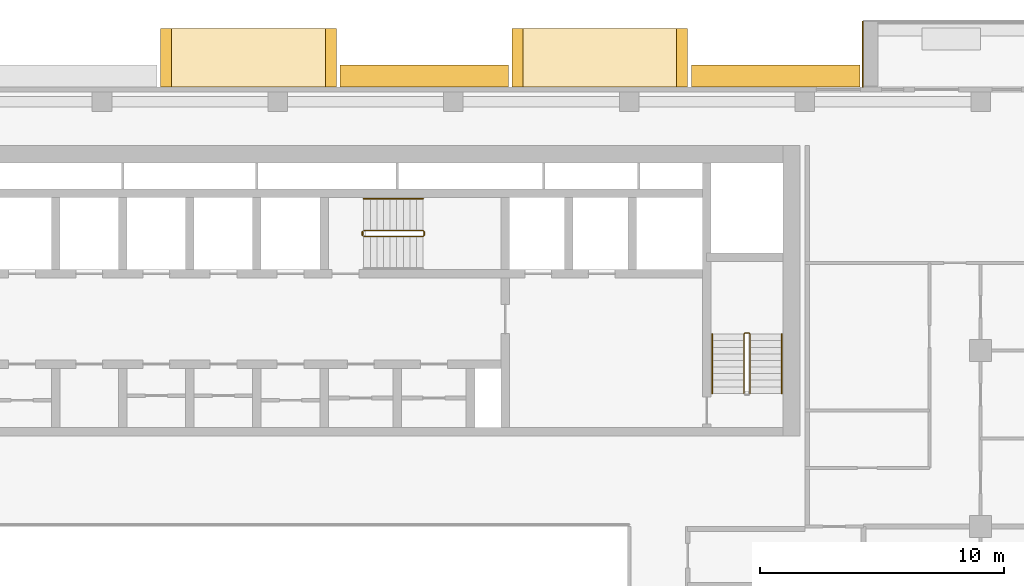
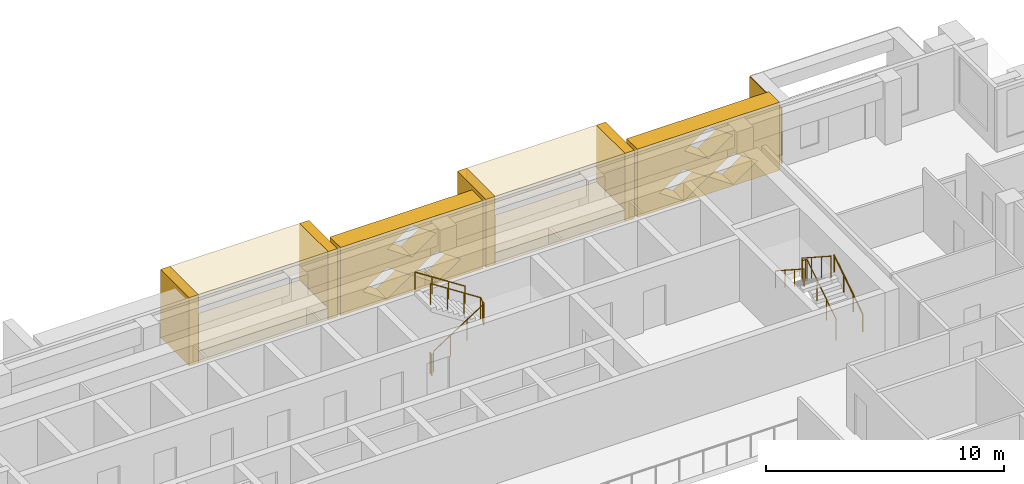
# One storey, part 19 of 20: 11 coverings, 6 railings.
"""IFC4 building model written with IfcOpenShell, lengths in metres."""

from ifc_helpers import new_model, si_unit, direction, frame, origin, origin_2d, place, context, subcontext, project, spatial, polyline, circle, outline, extrude, material, layer, layer_set, type_object, element, save


model = new_model("IFC4")

# Units and contexts
model_context = context("Model", 3, precision=1e-05, world=origin(), true_north=direction((0.0, 1.0)))
body_context = subcontext(model_context, "Body", "Model", "MODEL_VIEW")
ifc_project = project(units=[si_unit("LENGTHUNIT", "METRE"), si_unit("AREAUNIT", "SQUARE_METRE"), si_unit("VOLUMEUNIT", "CUBIC_METRE"), si_unit("PLANEANGLEUNIT", "RADIAN"), si_unit("MASSUNIT", "GRAM", prefix="KILO")], contexts=[model_context])

# Site, building, storey
site_placement = place(None, origin())
site = spatial("IfcSite", under=ifc_project, at=site_placement, CompositionType="ELEMENT")
building_placement = place(site_placement, origin())
building = spatial("IfcBuilding", under=site, at=building_placement, Name="Saffron Iwan Residences", CompositionType="ELEMENT")
storey_placement = place(building_placement, frame((0.0, 0.0, 192.0)))
storey = spatial("IfcBuildingStorey", under=building, at=storey_placement, Name="L51", CompositionType="ELEMENT", Elevation=192.0)

# Coverings
ifc_material_1 = material(Name="Precast concrete C40/50 white painted", Category="concrete")
ifc_layer = layer(ifc_material_1, 0.050048828125)
ifc_layer_set = layer_set([ifc_layer], Name="Precast concrete C40/50 white painted")
covering_type_1 = type_object("IfcCoveringType", Name="FRAME SKIN PRECAST WHITE 50", PredefinedType="CLADDING", material=ifc_layer_set)
covering_placement = place(storey_placement, origin())
element("IfcCovering", 1, at=covering_placement, inside=storey, type_object=covering_type_1, Name="Frame skin fin L51 F5-0b", PredefinedType="CLADDING", context=body_context, shape_type="SweptSolid", body=[
    extrude(outline(polyline([(74.39990234375, 83.10009765625), (74.35009765625, 83.10009765625), (74.35009765625, 80.39990234375), (74.39990234375, 80.39990234375), (74.39990234375, 83.10009765625)])), origin(), (0.0, 0.0, 1.0), 2.85009765625),
])
ifc_material_2 = material(Name="Precast concrete C40/50", Category="concrete")
covering_type_2 = type_object("IfcCoveringType", Name="OUTER SKIN LATTICE SCREEN", PredefinedType="CLADDING", material=ifc_material_2)
for number, where, z_axis, x_axis, name in (
    (2, (74.25, 80.39990234375, -0.300048828125), (0.0, 1.0, 0.0), (-1.0, 0.0, 0.0), "OUTER SKIN lattice screen L51 F5.1"),
    (3, (59.85009765625, 80.39990234375, -0.300048828125), (0.0, 1.0, 0.0), (-1.0, 0.0, 0.0), "OUTER SKIN lattice screen L51 F5.2"),
):
    element("IfcCovering", number, at=place(storey_placement, frame(where, z_axis=z_axis, x_axis=x_axis)), inside=storey, type_object=covering_type_2, Name=name, PredefinedType="CLADDING", context=body_context, shape_type="SweptSolid", body=[
        extrude(outline(polyline([(0.0, 0.0), (6.89990234375, 0.0), (6.89990234375, 3.5), (0.0, 3.5), (0.0, 0.0)]), holes=[polyline([(1.070068359375, 0.875), (2.25, 0.06005859375), (3.429931640625, 0.875), (2.25, 1.68994140625), (1.070068359375, 0.875)]), polyline([(3.469970703125, 0.875), (4.64990234375, 0.06005859375), (5.830078125, 0.875), (4.64990234375, 1.68994140625), (3.469970703125, 0.875)]), polyline([(2.27001953125, 2.625), (3.449951171875, 1.81005859375), (4.6298828125, 2.625), (3.449951171875, 3.43994140625), (2.27001953125, 2.625)])]), origin(), (0.0, 0.0, 1.0), 0.900146484375),
    ])

# Railings
ifc_material_3 = material(Name="Steel S355", Category="steel")
railing_type_1 = type_object("IfcRailingType", Name="Stair guard 1100", PredefinedType="GUARDRAIL", material=ifc_material_3)
railing_1_placement = place(storey_placement, frame((53.925048828125, 74.27490234375, 0.175048828125)))
element("IfcRailing", 4, at=railing_1_placement, inside=storey, type_object=railing_type_1, Name="L51 ST-C stair guard 1", PredefinedType="GUARDRAIL", context=body_context, shape_type="SweptSolid", body=[
    extrude(circle(Radius=0.02392578125, at=origin_2d()), frame((0.0, 0.0, 1.076171875), z_axis=(0.839153699163, 0.0, 0.543894354798), x_axis=(0.0, 1.0, 0.0)), (0.0, 0.0, 1.0), 2.895751953125),
    extrude(circle(Radius=0.02392578125, at=origin_2d()), frame((2.429931640625, 0.0, 2.65087890625), z_axis=(0.707106781187, 0.707106781187, 0.0), x_axis=(-0.707106781187, 0.707106781187, 0.0)), (0.0, 0.0, 1.0), 0.07080078125),
    extrude(circle(Radius=0.02392578125, at=origin_2d()), frame((2.47998046875, 0.050048828125, 2.65087890625), z_axis=(0.0, 1.0, 0.0), x_axis=(-1.0, 0.0, 0.0)), (0.0, 0.0, 1.0), 0.150146484375),
    extrude(circle(Radius=0.02392578125, at=origin_2d()), frame((2.47998046875, 0.2001953125, 2.65087890625), z_axis=(-0.265155923931, 0.263862480399, 0.927399011991), x_axis=(-0.705375805398, -0.708833529934, 0.0)), (0.0, 0.0, 1.0), 0.188720703125),
    extrude(circle(Radius=0.02392578125, at=origin_2d()), frame((2.429931640625, 0.25, 2.826171875), z_axis=(-0.839153699163, 0.0, 0.543894354798), x_axis=(0.0, -1.0, 0.0)), (0.0, 0.0, 1.0), 2.895751953125),
    extrude(circle(Radius=0.02099609375, at=origin_2d()), origin(), (0.0, 0.0, 1.0), 1.052001953125),
    extrude(circle(Radius=0.02099609375, at=origin_2d()), frame((0.81005859375, 0.0, 0.52490234375)), (0.0, 0.0, 1.0), 1.052001953125),
    extrude(circle(Radius=0.02099609375, at=origin_2d()), frame((1.619873046875, 0.0, 1.050048828125)), (0.0, 0.0, 1.0), 1.052001953125),
    extrude(circle(Radius=0.02099609375, at=origin_2d()), frame((2.429931640625, 0.0, 1.574951171875)), (0.0, 0.0, 1.0), 1.052001953125),
    extrude(circle(Radius=0.02099609375, at=origin_2d()), frame((2.47998046875, 0.050048828125, 1.574951171875)), (0.0, 0.0, 1.0), 1.052001953125),
    extrude(circle(Radius=0.02099609375, at=origin_2d()), frame((2.47998046875, 0.2001953125, 1.574951171875)), (0.0, 0.0, 1.0), 1.052001953125),
    extrude(circle(Radius=0.02099609375, at=origin_2d()), frame((2.429931640625, 0.25, 1.75)), (0.0, 0.0, 1.0), 1.052001953125),
    extrude(circle(Radius=0.02099609375, at=origin_2d()), frame((1.619873046875, 0.25, 2.27490234375)), (0.0, 0.0, 1.0), 1.052001953125),
    extrude(circle(Radius=0.02099609375, at=origin_2d()), frame((0.81005859375, 0.25, 2.800048828125)), (0.0, 0.0, 1.0), 1.052001953125),
    extrude(circle(Radius=0.02099609375, at=origin_2d()), frame((0.0, 0.25, 3.324951171875)), (0.0, 0.0, 1.0), 1.052001953125),
])
railing_2_placement = place(storey_placement, frame((53.875, 74.324951171875, 0.0)))
element("IfcRailing", 5, at=railing_2_placement, inside=storey, type_object=railing_type_1, Name="L51 ST-C stair guard 2", PredefinedType="GUARDRAIL", context=body_context, shape_type="SweptSolid", body=[
    extrude(circle(Radius=0.02392578125, at=origin_2d()), frame((0.0, 0.0, 1.076171875), z_axis=(0.0, 1.0, 0.0), x_axis=(-1.0, 0.0, 0.0)), (0.0, 0.0, 1.0), 0.150146484375),
    extrude(circle(Radius=0.02099609375, at=origin_2d()), origin(), (0.0, 0.0, 1.0), 1.052001953125),
    extrude(circle(Radius=0.02099609375, at=origin_2d()), frame((0.0, 0.150146484375, 0.0)), (0.0, 0.0, 1.0), 1.052001953125),
])
railing_3_placement = place(storey_placement, frame((69.75, 67.85009765625, 0.175048828125)))
element("IfcRailing", 6, at=railing_3_placement, inside=storey, type_object=railing_type_1, Name="L51 ST-E stair guard 1", PredefinedType="GUARDRAIL", context=body_context, shape_type="SweptSolid", body=[
    extrude(circle(Radius=0.02392578125, at=origin_2d()), frame((0.0, 0.0, 1.076171875), z_axis=(0.0, 0.839153699163, 0.543894354798), x_axis=(-1.0, 0.0, 0.0)), (0.0, 0.0, 1.0), 2.895751953125),
    extrude(circle(Radius=0.02392578125, at=origin_2d()), frame((0.0, 2.429931640625, 2.65087890625), z_axis=(-0.707106781187, 0.707106781187, 0.0), x_axis=(-0.707106781187, -0.707106781187, 0.0)), (0.0, 0.0, 1.0), 0.07080078125),
    extrude(circle(Radius=0.02392578125, at=origin_2d()), frame((-0.050048828125, 2.47998046875, 2.65087890625), z_axis=(-1.0, 0.0, 0.0), x_axis=(0.0, -1.0, 0.0)), (0.0, 0.0, 1.0), 0.14990234375),
    extrude(circle(Radius=0.02392578125, at=origin_2d()), frame((-0.199951171875, 2.47998046875, 2.65087890625), z_axis=(-0.265065253269, -0.265065253269, 0.927081885822), x_axis=(0.707106781187, -0.707106781187, 0.0)), (0.0, 0.0, 1.0), 0.188720703125),
    extrude(circle(Radius=0.02392578125, at=origin_2d()), frame((-0.25, 2.429931640625, 2.826171875), z_axis=(0.0, -0.839153699163, 0.543894354798), x_axis=(1.0, 0.0, 0.0)), (0.0, 0.0, 1.0), 2.895751953125),
    extrude(circle(Radius=0.02099609375, at=origin_2d()), origin(), (0.0, 0.0, 1.0), 1.052001953125),
    extrude(circle(Radius=0.02099609375, at=origin_2d()), frame((0.0, 0.81005859375, 0.52490234375)), (0.0, 0.0, 1.0), 1.052001953125),
    extrude(circle(Radius=0.02099609375, at=origin_2d()), frame((0.0, 1.619873046875, 1.050048828125)), (0.0, 0.0, 1.0), 1.052001953125),
    extrude(circle(Radius=0.02099609375, at=origin_2d()), frame((0.0, 2.429931640625, 1.574951171875)), (0.0, 0.0, 1.0), 1.052001953125),
    extrude(circle(Radius=0.02099609375, at=origin_2d()), frame((-0.050048828125, 2.47998046875, 1.574951171875)), (0.0, 0.0, 1.0), 1.052001953125),
    extrude(circle(Radius=0.02099609375, at=origin_2d()), frame((-0.199951171875, 2.47998046875, 1.574951171875)), (0.0, 0.0, 1.0), 1.052001953125),
    extrude(circle(Radius=0.02099609375, at=origin_2d()), frame((-0.25, 2.429931640625, 1.75)), (0.0, 0.0, 1.0), 1.052001953125),
    extrude(circle(Radius=0.02099609375, at=origin_2d()), frame((-0.25, 1.619873046875, 2.27490234375)), (0.0, 0.0, 1.0), 1.052001953125),
    extrude(circle(Radius=0.02099609375, at=origin_2d()), frame((-0.25, 0.81005859375, 2.800048828125)), (0.0, 0.0, 1.0), 1.052001953125),
    extrude(circle(Radius=0.02099609375, at=origin_2d()), frame((-0.25, 0.0, 3.324951171875)), (0.0, 0.0, 1.0), 1.052001953125),
])
ifc_material_4 = material(Name="Stainless steel 316", Category="steel")
railing_type_2 = type_object("IfcRailingType", Name="Stair handrail 900", PredefinedType="HANDRAIL", material=ifc_material_4)
railing_4_placement = place(storey_placement, frame((56.35498046875, 75.824951171875, 1.925048828125)))
element("IfcRailing", 7, at=railing_4_placement, inside=storey, type_object=railing_type_2, Name="L51 ST-C stair handrail 2", PredefinedType="HANDRAIL", context=body_context, shape_type="SweptSolid", body=[
    extrude(circle(Radius=0.02392578125, at=origin_2d()), frame((0.0, 0.0, 0.8759765625), z_axis=(-0.839153699163, 0.0, 0.543894354798), x_axis=(0.0, -1.0, 0.0)), (0.0, 0.0, 1.0), 2.895751953125),
    extrude(circle(Radius=0.02099609375, at=origin_2d()), origin(), (0.0, 0.0, 1.0), 0.851806640625),
    extrude(circle(Radius=0.02099609375, at=origin_2d()), frame((-0.81005859375, 0.0, 0.52490234375)), (0.0, 0.0, 1.0), 0.851806640625),
    extrude(circle(Radius=0.02099609375, at=origin_2d()), frame((-1.619873046875, 0.0, 1.050048828125)), (0.0, 0.0, 1.0), 0.851806640625),
    extrude(circle(Radius=0.02099609375, at=origin_2d()), frame((-2.429931640625, 0.0, 1.574951171875)), (0.0, 0.0, 1.0), 0.851806640625),
])
railing_5_placement = place(storey_placement, frame((71.050048828125, 67.85009765625, 0.175048828125)))
element("IfcRailing", 8, at=railing_5_placement, inside=storey, type_object=railing_type_2, Name="L51 ST-E stair handrail 1", PredefinedType="HANDRAIL", context=body_context, shape_type="SweptSolid", body=[
    extrude(circle(Radius=0.02392578125, at=origin_2d()), frame((0.0, 0.0, 0.8759765625), z_axis=(0.0, 0.839153699163, 0.543894354798), x_axis=(-1.0, 0.0, 0.0)), (0.0, 0.0, 1.0), 2.895751953125),
    extrude(circle(Radius=0.02099609375, at=origin_2d()), origin(), (0.0, 0.0, 1.0), 0.851806640625),
    extrude(circle(Radius=0.02099609375, at=origin_2d()), frame((0.0, 0.81005859375, 0.52490234375)), (0.0, 0.0, 1.0), 0.851806640625),
    extrude(circle(Radius=0.02099609375, at=origin_2d()), frame((0.0, 1.619873046875, 1.050048828125)), (0.0, 0.0, 1.0), 0.851806640625),
    extrude(circle(Radius=0.02099609375, at=origin_2d()), frame((0.0, 2.429931640625, 1.574951171875)), (0.0, 0.0, 1.0), 0.851806640625),
])
railing_6_placement = place(storey_placement, frame((68.199951171875, 70.280029296875, 1.925048828125)))
element("IfcRailing", 9, at=railing_6_placement, inside=storey, type_object=railing_type_2, Name="L51 ST-E stair handrail 2", PredefinedType="HANDRAIL", context=body_context, shape_type="SweptSolid", body=[
    extrude(circle(Radius=0.02392578125, at=origin_2d()), frame((0.0, 0.0, 0.8759765625), z_axis=(0.0, -0.839153699163, 0.543894354798), x_axis=(1.0, 0.0, 0.0)), (0.0, 0.0, 1.0), 2.895751953125),
    extrude(circle(Radius=0.02099609375, at=origin_2d()), origin(), (0.0, 0.0, 1.0), 0.851806640625),
    extrude(circle(Radius=0.02099609375, at=origin_2d()), frame((0.0, -0.81005859375, 0.52490234375)), (0.0, 0.0, 1.0), 0.851806640625),
    extrude(circle(Radius=0.02099609375, at=origin_2d()), frame((0.0, -1.619873046875, 1.050048828125)), (0.0, 0.0, 1.0), 0.851806640625),
    extrude(circle(Radius=0.02099609375, at=origin_2d()), frame((0.0, -2.429931640625, 1.574951171875)), (0.0, 0.0, 1.0), 0.851806640625),
])

# Coverings
covering_type_3 = type_object("IfcCoveringType", Name="WHITE SUN FRAME PRECAST", PredefinedType="CLADDING", material=ifc_material_1)
for number, where, z_axis, x_axis, name in (
    (10, (67.199951171875, 80.39990234375, -0.300048828125), (0.0, 1.0, 0.0), (-1.0, 0.0, 0.0), "Sun frame L51 F5 15.6a"),
    (11, (60.449951171875, 80.39990234375, -0.300048828125), (0.0, 1.0, 0.0), (-1.0, 0.0, 0.0), "Sun frame L51 F5 15.6b"),
):
    element("IfcCovering", number, at=place(storey_placement, frame(where, z_axis=z_axis, x_axis=x_axis)), inside=storey, type_object=covering_type_3, Name=name, PredefinedType="CLADDING", context=body_context, shape_type="SweptSolid", body=[
        extrude(outline(polyline([(0.0, 0.0), (0.449951171875, 0.0), (0.449951171875, 3.5), (0.0, 3.5), (0.0, 0.0)])), origin(), (0.0, 0.0, 1.0), 2.400146484375),
    ])
for number, where, z_axis, x_axis, name in (
    (12, (66.75, 80.39990234375, 2.60009765625), (0.0, 1.0, 0.0), (-1.0, 0.0, 0.0), "Sun frame L51 F5 15.6h"),
    (13, (66.75, 80.39990234375, -0.300048828125), (0.0, 1.0, 0.0), (-1.0, 0.0, 0.0), "Sun frame L51 F5 15.6s"),
):
    element("IfcCovering", number, at=place(storey_placement, frame(where, z_axis=z_axis, x_axis=x_axis)), inside=storey, type_object=covering_type_3, Name=name, PredefinedType="CLADDING", context=body_context, shape_type="SweptSolid", body=[
        extrude(outline(polyline([(0.0, 0.0), (6.300048828125, 0.0), (6.300048828125, 0.60009765625), (0.0, 0.60009765625), (0.0, 0.0)])), origin(), (0.0, 0.0, 1.0), 2.400146484375),
    ])
for number, where, z_axis, x_axis, name in (
    (14, (52.800048828125, 80.39990234375, -0.300048828125), (0.0, 1.0, 0.0), (-1.0, 0.0, 0.0), "Sun frame L51 F5 30.0a"),
    (15, (46.050048828125, 80.39990234375, -0.300048828125), (0.0, 1.0, 0.0), (-1.0, 0.0, 0.0), "Sun frame L51 F5 30.0b"),
):
    element("IfcCovering", number, at=place(storey_placement, frame(where, z_axis=z_axis, x_axis=x_axis)), inside=storey, type_object=covering_type_3, Name=name, PredefinedType="CLADDING", context=body_context, shape_type="SweptSolid", body=[
        extrude(outline(polyline([(0.0, 0.0), (0.449951171875, 0.0), (0.449951171875, 3.5), (0.0, 3.5), (0.0, 0.0)])), origin(), (0.0, 0.0, 1.0), 2.400146484375),
    ])
for number, where, z_axis, x_axis, name in (
    (16, (52.35009765625, 80.39990234375, 2.60009765625), (0.0, 1.0, 0.0), (-1.0, 0.0, 0.0), "Sun frame L51 F5 30.0h"),
    (17, (52.35009765625, 80.39990234375, -0.300048828125), (0.0, 1.0, 0.0), (-1.0, 0.0, 0.0), "Sun frame L51 F5 30.0s"),
):
    element("IfcCovering", number, at=place(storey_placement, frame(where, z_axis=z_axis, x_axis=x_axis)), inside=storey, type_object=covering_type_3, Name=name, PredefinedType="CLADDING", context=body_context, shape_type="SweptSolid", body=[
        extrude(outline(polyline([(0.0, 0.0), (6.300048828125, 0.0), (6.300048828125, 0.60009765625), (0.0, 0.60009765625), (0.0, 0.0)])), origin(), (0.0, 0.0, 1.0), 2.400146484375),
    ])

save(model, "model.ifc")
